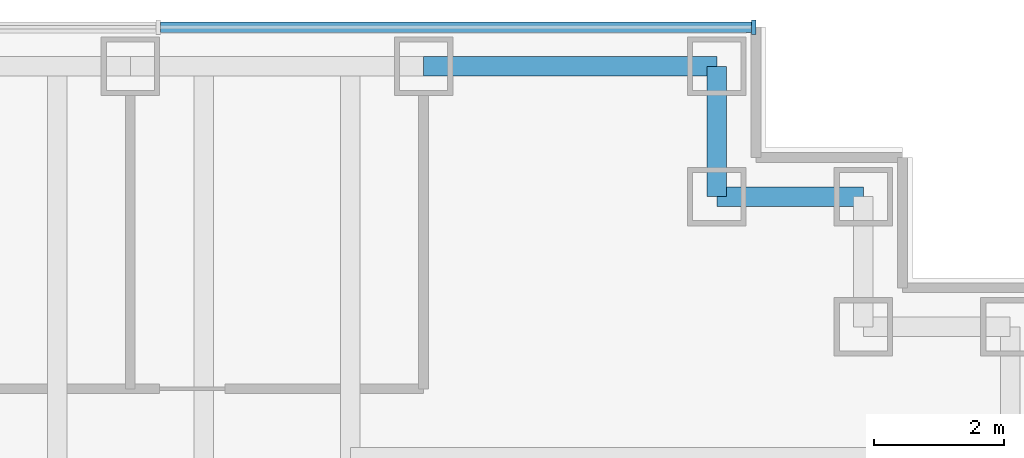
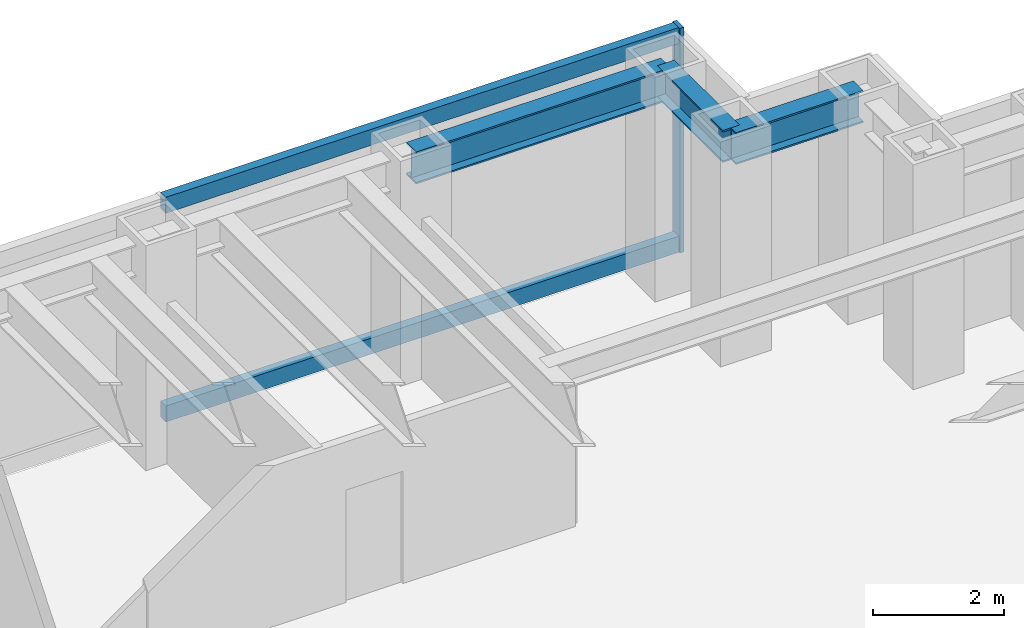
# One storey, part 8 of 17: 3 beams, 3 members, 1 element without a shape of its own.
"""IFC4 building model written with IfcOpenShell, lengths in metres."""

from ifc_helpers import new_model, si_unit, direction, frame, origin, origin_2d, place, context, subcontext, project, spatial, rectangle, i_section, extrude, material, material_profile, profile_set, type_object, element, aggregate, save


model = new_model("IFC4")

# Units and contexts
model_context = context("Model", 3, precision=1e-05, world=origin(), true_north=direction((0.0, 1.0)))
body_context = subcontext(model_context, "Body", "Model", "MODEL_VIEW")
ifc_project = project(units=[si_unit("LENGTHUNIT", "METRE"), si_unit("AREAUNIT", "SQUARE_METRE"), si_unit("VOLUMEUNIT", "CUBIC_METRE"), si_unit("PLANEANGLEUNIT", "RADIAN"), si_unit("MASSUNIT", "GRAM", prefix="KILO")], contexts=[model_context])

# Site, building, storey
site_placement = place(None, origin())
site = spatial("IfcSite", under=ifc_project, at=site_placement, CompositionType="ELEMENT")
building_placement = place(site_placement, origin())
building = spatial("IfcBuilding", under=site, at=building_placement, Name="Rheinbord Bourse Tower", CompositionType="ELEMENT")
storey_placement = place(building_placement, frame((0.0, 0.0, 227.800048828125)))
storey = spatial("IfcBuildingStorey", under=building, at=storey_placement, Name="L51", CompositionType="ELEMENT", Elevation=227.800048828125)

# Curtain wall, members
ifc_material_1 = material(Name="Dark glass and black aluminium", Category="aluminium")
curtain_wall_type = type_object("IfcCurtainWallType", Name="CW2 DARK GLASS CURTAIN WALL", PredefinedType="USERDEFINED", material=ifc_material_1)
curtain_wall_placement = place(storey_placement, origin())
curtain_wall = element("IfcCurtainWall", 1, at=curtain_wall_placement, inside=storey, type_object=curtain_wall_type, Name="Curtain wall CW2 N L51", ObjectType="UNITISED CURTAIN WALL", PredefinedType="USERDEFINED")
ifc_material_2 = material(Name="Black anodised aluminium", Category="aluminium")
ifc_material_profile_1 = material_profile(ifc_material_2, rectangle(XDim=0.219970703125, YDim=0.070068359375, at=origin_2d()), Name="CW2 MULLION 70x220")
ifc_profile_set_1 = profile_set([ifc_material_profile_1], Name="Black anodised aluminium")
member_type_1 = type_object("IfcMemberType", Name="CW2 BLACK MULLION", PredefinedType="MULLION", material=ifc_profile_set_1)
member_1_placement = place(storey_placement, frame((68.06494140625, 44.60009765625, 0.0), z_axis=(0.0, 0.0, 1.0), x_axis=(0.0, -1.0, 0.0)))
member_1 = element("IfcMember", 2, at=member_1_placement, type_object=member_type_1, Name="CW2 mullion 1", PredefinedType="MULLION", context=body_context, shape_type="SweptSolid", body=[
    extrude(rectangle(XDim=0.219970703125, YDim=0.070068359375, at=origin_2d()), origin(), (0.0, 0.0, 1.0), 4.199951171875),
])
ifc_material_3 = material(Name="Black anodised aluminium", Category="aluminium")
ifc_material_profile_2 = material_profile(ifc_material_3, rectangle(XDim=0.159912109375, YDim=0.300048828125, at=origin_2d()), Name="CW2 TRANSOM 300x160")
ifc_profile_set_2 = profile_set([ifc_material_profile_2], Name="Black anodised aluminium")
member_type_2 = type_object("IfcMemberType", Name="CW2 BLACK TRANSOM", PredefinedType="USERDEFINED", material=ifc_profile_set_2)
member_2_placement = place(storey_placement, frame((68.030029296875, 44.60009765625, 0.14990234375), z_axis=(-1.0, 0.0, 0.0), x_axis=(0.0, -1.0, 0.0)))
member_2 = element("IfcMember", 3, at=member_2_placement, type_object=member_type_2, Name="CW2 transom 1.1", ObjectType="TRANSOM", PredefinedType="USERDEFINED", context=body_context, shape_type="SweptSolid", body=[
    extrude(rectangle(XDim=0.159912109375, YDim=0.300048828125, at=origin_2d()), origin(), (0.0, 0.0, 1.0), 9.06640625),
])
member_3_placement = place(storey_placement, frame((68.030029296875, 44.60009765625, 4.050048828125), z_axis=(-1.0, 0.0, 0.0), x_axis=(0.0, -1.0, 0.0)))
member_3 = element("IfcMember", 4, at=member_3_placement, type_object=member_type_2, Name="CW2 transom 1.2", ObjectType="TRANSOM", PredefinedType="USERDEFINED", context=body_context, shape_type="SweptSolid", body=[
    extrude(rectangle(XDim=0.159912109375, YDim=0.300048828125, at=origin_2d()), origin(), (0.0, 0.0, 1.0), 9.06640625),
])
aggregate(curtain_wall, [member_1, member_2, member_3])

# Beams
ifc_material_4 = material(Name="Steel S460", Category="steel")
ifc_material_profile_3 = material_profile(ifc_material_4, i_section(OverallWidth=0.300048828125, OverallDepth=0.60009765625, WebThickness=0.015380859375, FlangeThickness=0.030029296875, at=origin_2d()), Name="HEB 600")
ifc_profile_set_3 = profile_set([ifc_material_profile_3], Name="Steel S460")
beam_type = type_object("IfcBeamType", Name="SPANDREL HEB 600", PredefinedType="SPANDREL", material=ifc_profile_set_3)
beam_1_placement = place(storey_placement, frame((69.75, 42.0, 3.739990234375), z_axis=(-1.0, 0.0, 0.0), x_axis=(0.0, -1.0, 0.0)))
element("IfcBeam", 5, at=beam_1_placement, inside=storey, type_object=beam_type, Name="Spandrel NE-C-NE-D under L52", PredefinedType="SPANDREL", context=body_context, shape_type="SweptSolid", body=[
    extrude(i_section(OverallWidth=0.300048828125, OverallDepth=0.60009765625, WebThickness=0.015380859375, FlangeThickness=0.030029296875, at=origin_2d()), origin(), (0.0, 0.0, 1.0), 2.25),
])
beam_2_placement = place(storey_placement, frame((67.5, 42.0, 3.739990234375), z_axis=(0.0, 1.0, 0.0), x_axis=(-1.0, 0.0, 0.0)))
element("IfcBeam", 6, at=beam_2_placement, inside=storey, type_object=beam_type, Name="Spandrel NE-D-NE-E under L52", PredefinedType="SPANDREL", context=body_context, shape_type="SweptSolid", body=[
    extrude(i_section(OverallWidth=0.300048828125, OverallDepth=0.60009765625, WebThickness=0.015380859375, FlangeThickness=0.030029296875, at=origin_2d()), origin(), (0.0, 0.0, 1.0), 2.0),
])
beam_3_placement = place(storey_placement, frame((67.5, 44.0, 3.739990234375), z_axis=(-1.0, 0.0, 0.0), x_axis=(0.0, -1.0, 0.0)))
element("IfcBeam", 7, at=beam_3_placement, inside=storey, type_object=beam_type, Name="Spandrel NE-E-N-63 under L52", PredefinedType="SPANDREL", context=body_context, shape_type="SweptSolid", body=[
    extrude(i_section(OverallWidth=0.300048828125, OverallDepth=0.60009765625, WebThickness=0.015380859375, FlangeThickness=0.030029296875, at=origin_2d()), origin(), (0.0, 0.0, 1.0), 4.5),
])

save(model, "model.ifc")
